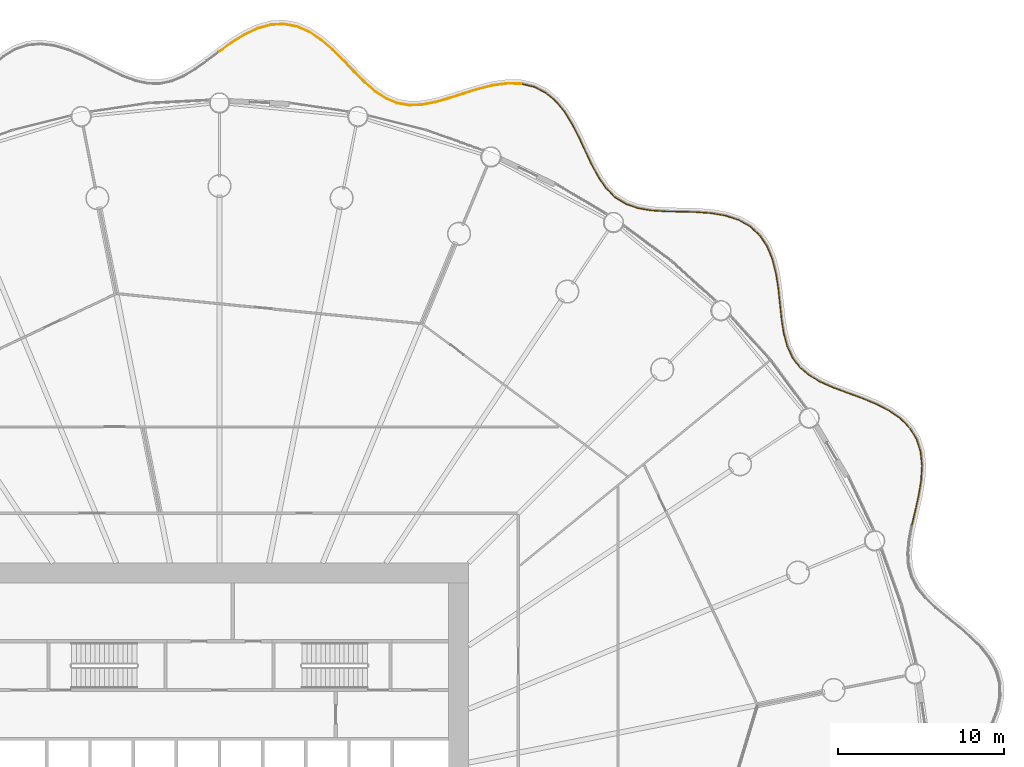
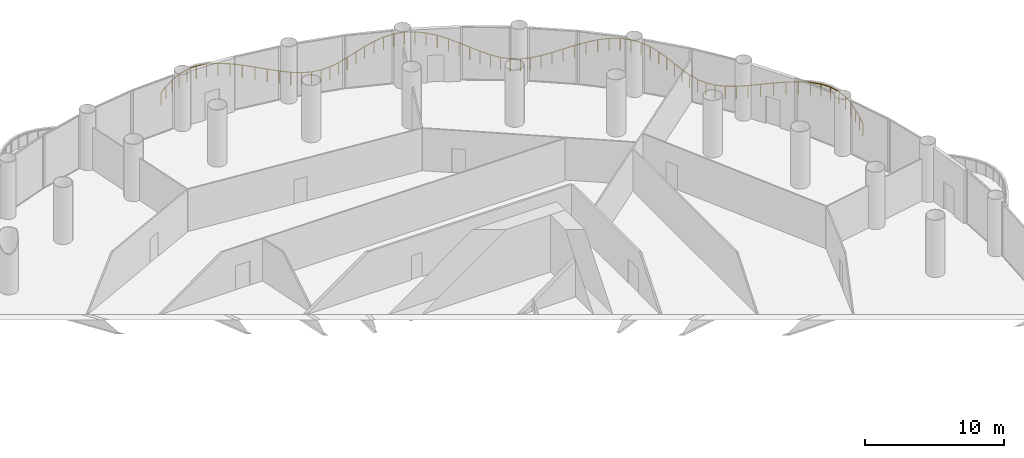
# One storey, part 35 of 35: 3 railings.
"""IFC4 building model written with IfcOpenShell, lengths in metres."""

from ifc_helpers import new_model, si_unit, direction, frame, origin, origin_2d, place, context, subcontext, project, spatial, circle, extrude, material, type_object, element, save


model = new_model("IFC4")

# Units and contexts
model_context = context("Model", 3, precision=1e-05, world=origin(), true_north=direction((0.0, 1.0)))
body_context = subcontext(model_context, "Body", "Model", "MODEL_VIEW")
ifc_project = project(units=[si_unit("LENGTHUNIT", "METRE"), si_unit("AREAUNIT", "SQUARE_METRE"), si_unit("VOLUMEUNIT", "CUBIC_METRE"), si_unit("PLANEANGLEUNIT", "RADIAN"), si_unit("MASSUNIT", "GRAM", prefix="KILO")], contexts=[model_context])

# Site, building, storey
site_placement = place(None, origin())
site = spatial("IfcSite", under=ifc_project, at=site_placement, CompositionType="ELEMENT")
building_placement = place(site_placement, origin())
building = spatial("IfcBuilding", under=site, at=building_placement, Name="Corvane Civic Tower", CompositionType="ELEMENT")
storey_placement = place(building_placement, frame((0.0, 0.0, 22.0)))
storey = spatial("IfcBuildingStorey", under=building, at=storey_placement, Name="L04", CompositionType="ELEMENT", Elevation=22.0)

# Railings
ifc_material = material(Name="Steel ASTM A572 Gr 50", Category="steel")
railing_type = type_object("IfcRailingType", Name="PODIUM-RL-GUARD-1100", PredefinedType="GUARDRAIL", material=ifc_material)
railing_1_placement = place(storey_placement, frame((41.692138671875, 17.29150390625, 0.0)))
element("IfcRailing", 1, at=railing_1_placement, inside=storey, type_object=railing_type, Name="L04 ribbon guard 14", PredefinedType="GUARDRAIL", context=body_context, shape_type="SweptSolid", body=[
    extrude(circle(Radius=0.02392578125, at=origin_2d()), frame((0.0, 0.0, 1.076171875), z_axis=(0.227410846019, 0.973798904863, 0.0), x_axis=(-0.973798904863, 0.227410846019, 0.0)), (0.0, 0.0, 1.0), 0.894287109375),
    extrude(circle(Radius=0.02392578125, at=origin_2d()), frame((0.203369140625, 0.870849609375, 1.076171875), z_axis=(0.217566472214, 0.976045506198, 0.0), x_axis=(-0.976045506198, 0.217566472214, 0.0)), (0.0, 0.0, 1.0), 0.934814453125),
    extrude(circle(Radius=0.02392578125, at=origin_2d()), frame((0.40673828125, 1.783203125, 1.076171875), z_axis=(0.162504094717, 0.98670786923, 0.0), x_axis=(-0.98670786923, 0.162504094717, 0.0)), (0.0, 0.0, 1.0), 0.91943359375),
    extrude(circle(Radius=0.02392578125, at=origin_2d()), frame((0.55615234375, 2.6904296875, 1.076171875), z_axis=(0.058298894976, 0.998299173016, 0.0), x_axis=(-0.998299173016, 0.058298894976, 0.0)), (0.0, 0.0, 1.0), 0.87939453125),
    extrude(circle(Radius=0.02392578125, at=origin_2d()), frame((0.607421875, 3.568359375, 1.076171875), z_axis=(-0.098600291274, 0.995127118795, 0.0), x_axis=(-0.995127118795, -0.098600291274, 0.0)), (0.0, 0.0, 1.0), 0.82958984375),
    extrude(circle(Radius=0.02392578125, at=origin_2d()), frame((0.525634765625, 4.393798828125, 1.076171875), z_axis=(-0.29996315275, 0.953950788559, 0.0), x_axis=(-0.953950788559, -0.29996315275, 0.0)), (0.0, 0.0, 1.0), 0.790283203125),
    extrude(circle(Radius=0.02392578125, at=origin_2d()), frame((0.28857421875, 5.147705078125, 1.076171875), z_axis=(-0.514219236996, 0.857658776148, 0.0), x_axis=(-0.857658776148, -0.514219236996, 0.0)), (0.0, 0.0, 1.0), 0.779052734375),
    extrude(circle(Radius=0.02392578125, at=origin_2d()), frame((-0.112060546875, 5.81591796875, 1.076171875), z_axis=(-0.694828029588, 0.719175923748, 0.0), x_axis=(-0.719175923748, -0.694828029588, 0.0)), (0.0, 0.0, 1.0), 0.80224609375),
    extrude(circle(Radius=0.02392578125, at=origin_2d()), frame((-0.66943359375, 6.392822265625, 1.076171875), z_axis=(-0.817605639393, 0.575778619291, 0.0), x_axis=(-0.575778619291, -0.817605639393, 0.0)), (0.0, 0.0, 1.0), 0.84814453125),
    extrude(circle(Radius=0.02392578125, at=origin_2d()), frame((-1.36279296875, 6.881103515625, 1.076171875), z_axis=(-0.888967834328, 0.457969638218, 0.0), x_axis=(-0.457969638218, -0.888967834328, 0.0)), (0.0, 0.0, 1.0), 0.896240234375),
    extrude(circle(Radius=0.02392578125, at=origin_2d()), frame((-2.159423828125, 7.29150390625, 1.076171875), z_axis=(-0.925102308691, 0.379717945921, 0.0), x_axis=(-0.379717945921, -0.925102308691, 0.0)), (0.0, 0.0, 1.0), 0.928466796875),
    extrude(circle(Radius=0.02392578125, at=origin_2d()), frame((-3.018310546875, 7.64404296875, 1.076171875), z_axis=(-0.939295745182, 0.343108587889, 0.0), x_axis=(-0.343108587889, -0.939295745182, 0.0)), (0.0, 0.0, 1.0), 0.932861328125),
    extrude(circle(Radius=0.02392578125, at=origin_2d()), frame((-3.89453125, 7.964111328125, 1.076171875), z_axis=(-0.936694227346, 0.350148432035, 0.0), x_axis=(-0.350148432035, -0.936694227346, 0.0)), (0.0, 0.0, 1.0), 0.90576171875),
    extrude(circle(Radius=0.02392578125, at=origin_2d()), frame((-4.742919921875, 8.28125, 1.076171875), z_axis=(-0.914541442914, 0.404492211536, 0.0), x_axis=(-0.404492211536, -0.914541442914, 0.0)), (0.0, 0.0, 1.0), 0.853515625),
    extrude(circle(Radius=0.02392578125, at=origin_2d()), frame((-5.5234375, 8.62646484375, 1.076171875), z_axis=(-0.861258441546, 0.50816719381, 0.0), x_axis=(-0.50816719381, -0.861258441546, 0.0)), (0.0, 0.0, 1.0), 0.790283203125),
    extrude(circle(Radius=0.02392578125, at=origin_2d()), frame((-6.2041015625, 9.028076171875, 1.076171875), z_axis=(-0.758462874676, 0.65171624787, 0.0), x_axis=(-0.65171624787, -0.758462874676, 0.0)), (0.0, 0.0, 1.0), 0.73876953125),
    extrude(circle(Radius=0.02392578125, at=origin_2d()), frame((-6.764404296875, 9.509521484375, 1.076171875), z_axis=(-0.600270968268, 0.799796702078, 0.0), x_axis=(-0.799796702078, -0.600270968268, 0.0)), (0.0, 0.0, 1.0), 0.720703125),
    extrude(circle(Radius=0.02392578125, at=origin_2d()), frame((-7.197021484375, 10.0859375, 1.076171875), z_axis=(-0.416936854451, 0.908935453924, 0.0), x_axis=(-0.908935453924, -0.416936854451, 0.0)), (0.0, 0.0, 1.0), 0.744873046875),
    extrude(circle(Radius=0.02392578125, at=origin_2d()), frame((-7.507568359375, 10.762939453125, 1.076171875), z_axis=(-0.259656135813, 0.965701139657, 0.0), x_axis=(-0.965701139657, -0.259656135813, 0.0)), (0.0, 0.0, 1.0), 0.800048828125),
    extrude(circle(Radius=0.02392578125, at=origin_2d()), frame((-7.71533203125, 11.53564453125, 1.076171875), z_axis=(-0.154756611237, 0.987952626029, 0.0), x_axis=(-0.987952626029, -0.154756611237, 0.0)), (0.0, 0.0, 1.0), 0.863037109375),
    extrude(circle(Radius=0.02392578125, at=origin_2d()), frame((-7.848876953125, 12.38818359375, 1.076171875), z_axis=(-0.105200339755, 0.994451048828, 0.0), x_axis=(-0.994451048828, -0.105200339755, 0.0)), (0.0, 0.0, 1.0), 0.912109375),
    extrude(circle(Radius=0.02392578125, at=origin_2d()), frame((-7.94482421875, 13.295166015625, 1.076171875), z_axis=(-0.105038413668, 0.994468165229, 0.0), x_axis=(-0.994468165229, -0.105038413668, 0.0)), (0.0, 0.0, 1.0), 0.934326171875),
    extrude(circle(Radius=0.02392578125, at=origin_2d()), frame((-8.04296875, 14.224365234375, 1.076171875), z_axis=(-0.151243919607, 0.988496472822, 0.0), x_axis=(-0.988496472822, -0.151243919607, 0.0)), (0.0, 0.0, 1.0), 0.925048828125),
    extrude(circle(Radius=0.02392578125, at=origin_2d()), frame((-8.182861328125, 15.138671875, 1.076171875), z_axis=(-0.243798365179, 0.96982594167, 0.0), x_axis=(-0.96982594167, -0.243798365179, 0.0)), (0.0, 0.0, 1.0), 0.8642578125),
    extrude(circle(Radius=0.02099609375, at=origin_2d()), origin(), (0.0, 0.0, 1.0), 1.052001953125),
    extrude(circle(Radius=0.02099609375, at=origin_2d()), frame((0.203369140625, 0.870849609375, 0.0)), (0.0, 0.0, 1.0), 1.052001953125),
    extrude(circle(Radius=0.02099609375, at=origin_2d()), frame((0.40673828125, 1.783203125, 0.0)), (0.0, 0.0, 1.0), 1.052001953125),
    extrude(circle(Radius=0.02099609375, at=origin_2d()), frame((0.55615234375, 2.6904296875, 0.0)), (0.0, 0.0, 1.0), 1.052001953125),
    extrude(circle(Radius=0.02099609375, at=origin_2d()), frame((0.607421875, 3.568359375, 0.0)), (0.0, 0.0, 1.0), 1.052001953125),
    extrude(circle(Radius=0.02099609375, at=origin_2d()), frame((0.525634765625, 4.393798828125, 0.0)), (0.0, 0.0, 1.0), 1.052001953125),
    extrude(circle(Radius=0.02099609375, at=origin_2d()), frame((0.28857421875, 5.147705078125, 0.0)), (0.0, 0.0, 1.0), 1.052001953125),
    extrude(circle(Radius=0.02099609375, at=origin_2d()), frame((-0.112060546875, 5.81591796875, 0.0)), (0.0, 0.0, 1.0), 1.052001953125),
    extrude(circle(Radius=0.02099609375, at=origin_2d()), frame((-0.66943359375, 6.392822265625, 0.0)), (0.0, 0.0, 1.0), 1.052001953125),
    extrude(circle(Radius=0.02099609375, at=origin_2d()), frame((-1.36279296875, 6.881103515625, 0.0)), (0.0, 0.0, 1.0), 1.052001953125),
    extrude(circle(Radius=0.02099609375, at=origin_2d()), frame((-2.159423828125, 7.29150390625, 0.0)), (0.0, 0.0, 1.0), 1.052001953125),
    extrude(circle(Radius=0.02099609375, at=origin_2d()), frame((-3.018310546875, 7.64404296875, 0.0)), (0.0, 0.0, 1.0), 1.052001953125),
    extrude(circle(Radius=0.02099609375, at=origin_2d()), frame((-3.89453125, 7.964111328125, 0.0)), (0.0, 0.0, 1.0), 1.052001953125),
    extrude(circle(Radius=0.02099609375, at=origin_2d()), frame((-4.742919921875, 8.28125, 0.0)), (0.0, 0.0, 1.0), 1.052001953125),
    extrude(circle(Radius=0.02099609375, at=origin_2d()), frame((-5.5234375, 8.62646484375, 0.0)), (0.0, 0.0, 1.0), 1.052001953125),
    extrude(circle(Radius=0.02099609375, at=origin_2d()), frame((-6.2041015625, 9.028076171875, 0.0)), (0.0, 0.0, 1.0), 1.052001953125),
    extrude(circle(Radius=0.02099609375, at=origin_2d()), frame((-6.764404296875, 9.509521484375, 0.0)), (0.0, 0.0, 1.0), 1.052001953125),
    extrude(circle(Radius=0.02099609375, at=origin_2d()), frame((-7.197021484375, 10.0859375, 0.0)), (0.0, 0.0, 1.0), 1.052001953125),
    extrude(circle(Radius=0.02099609375, at=origin_2d()), frame((-7.507568359375, 10.762939453125, 0.0)), (0.0, 0.0, 1.0), 1.052001953125),
    extrude(circle(Radius=0.02099609375, at=origin_2d()), frame((-7.71533203125, 11.53564453125, 0.0)), (0.0, 0.0, 1.0), 1.052001953125),
    extrude(circle(Radius=0.02099609375, at=origin_2d()), frame((-7.848876953125, 12.38818359375, 0.0)), (0.0, 0.0, 1.0), 1.052001953125),
    extrude(circle(Radius=0.02099609375, at=origin_2d()), frame((-7.94482421875, 13.295166015625, 0.0)), (0.0, 0.0, 1.0), 1.052001953125),
    extrude(circle(Radius=0.02099609375, at=origin_2d()), frame((-8.04296875, 14.224365234375, 0.0)), (0.0, 0.0, 1.0), 1.052001953125),
    extrude(circle(Radius=0.02099609375, at=origin_2d()), frame((-8.182861328125, 15.138671875, 0.0)), (0.0, 0.0, 1.0), 1.052001953125),
    extrude(circle(Radius=0.02099609375, at=origin_2d()), frame((-8.3935546875, 15.976806640625, 0.0)), (0.0, 0.0, 1.0), 1.052001953125),
])
railing_2_placement = place(storey_placement, frame((33.282958984375, 33.315673828125, 0.0)))
element("IfcRailing", 2, at=railing_2_placement, inside=storey, type_object=railing_type, Name="L04 ribbon guard 15", PredefinedType="GUARDRAIL", context=body_context, shape_type="SweptSolid", body=[
    extrude(circle(Radius=0.02392578125, at=origin_2d()), frame((0.0, 0.0, 1.076171875), z_axis=(-0.381954861987, 0.924180979789, 0.0), x_axis=(-0.924180979789, -0.381954861987, 0.0)), (0.0, 0.0, 1.0), 0.81494140625),
    extrude(circle(Radius=0.02392578125, at=origin_2d()), frame((-0.311279296875, 0.753173828125, 1.076171875), z_axis=(-0.555407340841, 0.8315784303, 0.0), x_axis=(-0.8315784303, -0.555407340841, 0.0)), (0.0, 0.0, 1.0), 0.79638671875),
    extrude(circle(Radius=0.02392578125, at=origin_2d()), frame((-0.753662109375, 1.41552734375, 1.076171875), z_axis=(-0.731440906947, 0.681904831809, 0.0), x_axis=(-0.681904831809, -0.731440906947, 0.0)), (0.0, 0.0, 1.0), 0.77880859375),
    extrude(circle(Radius=0.02392578125, at=origin_2d()), frame((-1.3232421875, 1.946533203125, 1.076171875), z_axis=(-0.868979387797, 0.494848283401, 0.0), x_axis=(-0.494848283401, -0.868979387797, 0.0)), (0.0, 0.0, 1.0), 0.794921875),
    extrude(circle(Radius=0.02392578125, at=origin_2d()), frame((-2.013916015625, 2.33984375, 1.076171875), z_axis=(-0.949698912177, 0.313164455535, 0.0), x_axis=(-0.313164455535, -0.949698912177, 0.0)), (0.0, 0.0, 1.0), 0.83740234375),
    extrude(circle(Radius=0.02392578125, at=origin_2d()), frame((-2.80908203125, 2.60205078125, 1.076171875), z_axis=(-0.985609152256, 0.169040228907, 0.0), x_axis=(-0.169040228907, -0.985609152256, 0.0)), (0.0, 0.0, 1.0), 0.88671875),
    extrude(circle(Radius=0.02392578125, at=origin_2d()), frame((-3.68310546875, 2.751953125, 1.076171875), z_axis=(-0.997355726649, 0.072674304406, 0.0), x_axis=(-0.072674304406, -0.997355726649, 0.0)), (0.0, 0.0, 1.0), 0.923828125),
    extrude(circle(Radius=0.02392578125, at=origin_2d()), frame((-4.6044921875, 2.819091796875, 1.076171875), z_axis=(-0.999711020229, 0.024039052238, 0.0), x_axis=(-0.024039052238, -0.999711020229, 0.0)), (0.0, 0.0, 1.0), 0.934326171875),
    extrude(circle(Radius=0.02392578125, at=origin_2d()), frame((-5.53857421875, 2.841552734375, 1.076171875), z_axis=(-0.999771670744, 0.021368349896, 0.0), x_axis=(-0.021368349896, -0.999771670744, 0.0)), (0.0, 0.0, 1.0), 0.9140625),
    extrude(circle(Radius=0.02392578125, at=origin_2d()), frame((-6.452392578125, 2.861083984375, 1.076171875), z_axis=(-0.997631662657, 0.068782742495, 0.0), x_axis=(-0.068782742495, -0.997631662657, 0.0)), (0.0, 0.0, 1.0), 0.865966796875),
    extrude(circle(Radius=0.02392578125, at=origin_2d()), frame((-7.31640625, 2.920654296875, 1.076171875), z_axis=(-0.985151477235, 0.171687410437, 0.0), x_axis=(-0.171687410437, -0.985151477235, 0.0)), (0.0, 0.0, 1.0), 0.803466796875),
    extrude(circle(Radius=0.02392578125, at=origin_2d()), frame((-8.10791015625, 3.05859375, 1.076171875), z_axis=(-0.943531916748, 0.331281635589, 0.0), x_axis=(-0.331281635589, -0.943531916748, 0.0)), (0.0, 0.0, 1.0), 0.747314453125),
    extrude(circle(Radius=0.02392578125, at=origin_2d()), frame((-8.81298828125, 3.30615234375, 1.076171875), z_axis=(-0.853038984398, 0.521847191329, 0.0), x_axis=(-0.521847191329, -0.853038984398, 0.0)), (0.0, 0.0, 1.0), 0.720947265625),
    extrude(circle(Radius=0.02392578125, at=origin_2d()), frame((-9.427978515625, 3.682373046875, 1.076171875), z_axis=(-0.719589904835, 0.694399286333, 0.0), x_axis=(-0.694399286333, -0.719589904835, 0.0)), (0.0, 0.0, 1.0), 0.736572265625),
    extrude(circle(Radius=0.02392578125, at=origin_2d()), frame((-9.9580078125, 4.19384765625, 1.076171875), z_axis=(-0.583699953364, 0.811969435658, 0.0), x_axis=(-0.811969435658, -0.583699953364, 0.0)), (0.0, 0.0, 1.0), 0.787109375),
    extrude(circle(Radius=0.02392578125, at=origin_2d()), frame((-10.41748046875, 4.8330078125, 1.076171875), z_axis=(-0.482690160832, 0.875791190088, 0.0), x_axis=(-0.875791190088, -0.482690160832, 0.0)), (0.0, 0.0, 1.0), 0.850341796875),
    extrude(circle(Radius=0.02392578125, at=origin_2d()), frame((-10.827880859375, 5.57763671875, 1.076171875), z_axis=(-0.428202473026, 0.903682821622, 0.0), x_axis=(-0.903682821622, -0.428202473026, 0.0)), (0.0, 0.0, 1.0), 0.90380859375),
    extrude(circle(Radius=0.02392578125, at=origin_2d()), frame((-11.21484375, 6.394287109375, 1.076171875), z_axis=(-0.418809018902, 0.908074339295, 0.0), x_axis=(-0.908074339295, -0.418809018902, 0.0)), (0.0, 0.0, 1.0), 0.93212890625),
    extrude(circle(Radius=0.02392578125, at=origin_2d()), frame((-11.605224609375, 7.24072265625, 1.076171875), z_axis=(-0.451831007825, 0.892103548008, 0.0), x_axis=(-0.892103548008, -0.451831007825, 0.0)), (0.0, 0.0, 1.0), 0.929443359375),
    extrude(circle(Radius=0.02392578125, at=origin_2d()), frame((-12.025146484375, 8.06982421875, 1.076171875), z_axis=(-0.525006823148, 0.85109801765, 0.0), x_axis=(-0.85109801765, -0.525006823148, 0.0)), (0.0, 0.0, 1.0), 0.8984375),
    extrude(circle(Radius=0.02392578125, at=origin_2d()), frame((-12.496826171875, 8.83447265625, 1.076171875), z_axis=(-0.634690449107, 0.772766480777, 0.0), x_axis=(-0.772766480777, -0.634690449107, 0.0)), (0.0, 0.0, 1.0), 0.8505859375),
    extrude(circle(Radius=0.02392578125, at=origin_2d()), frame((-13.03662109375, 9.49169921875, 1.076171875), z_axis=(-0.766875815103, 0.641795515886, 0.0), x_axis=(-0.641795515886, -0.766875815103, 0.0)), (0.0, 0.0, 1.0), 0.80419921875),
    extrude(circle(Radius=0.02392578125, at=origin_2d()), frame((-13.6533203125, 10.0078125, 1.076171875), z_axis=(-0.89178146689, 0.452466369261, 0.0), x_axis=(-0.452466369261, -0.89178146689, 0.0)), (0.0, 0.0, 1.0), 0.77978515625),
    extrude(circle(Radius=0.02392578125, at=origin_2d()), frame((-14.3486328125, 10.360595703125, 1.076171875), z_axis=(-0.972682567407, 0.232139232064, 0.0), x_axis=(-0.232139232064, -0.972682567407, 0.0)), (0.0, 0.0, 1.0), 0.763427734375),
    extrude(circle(Radius=0.02099609375, at=origin_2d()), origin(), (0.0, 0.0, 1.0), 1.052001953125),
    extrude(circle(Radius=0.02099609375, at=origin_2d()), frame((-0.311279296875, 0.753173828125, 0.0)), (0.0, 0.0, 1.0), 1.052001953125),
    extrude(circle(Radius=0.02099609375, at=origin_2d()), frame((-0.753662109375, 1.41552734375, 0.0)), (0.0, 0.0, 1.0), 1.052001953125),
    extrude(circle(Radius=0.02099609375, at=origin_2d()), frame((-1.3232421875, 1.946533203125, 0.0)), (0.0, 0.0, 1.0), 1.052001953125),
    extrude(circle(Radius=0.02099609375, at=origin_2d()), frame((-2.013916015625, 2.33984375, 0.0)), (0.0, 0.0, 1.0), 1.052001953125),
    extrude(circle(Radius=0.02099609375, at=origin_2d()), frame((-2.80908203125, 2.60205078125, 0.0)), (0.0, 0.0, 1.0), 1.052001953125),
    extrude(circle(Radius=0.02099609375, at=origin_2d()), frame((-3.68310546875, 2.751953125, 0.0)), (0.0, 0.0, 1.0), 1.052001953125),
    extrude(circle(Radius=0.02099609375, at=origin_2d()), frame((-4.6044921875, 2.819091796875, 0.0)), (0.0, 0.0, 1.0), 1.052001953125),
    extrude(circle(Radius=0.02099609375, at=origin_2d()), frame((-5.53857421875, 2.841552734375, 0.0)), (0.0, 0.0, 1.0), 1.052001953125),
    extrude(circle(Radius=0.02099609375, at=origin_2d()), frame((-6.452392578125, 2.861083984375, 0.0)), (0.0, 0.0, 1.0), 1.052001953125),
    extrude(circle(Radius=0.02099609375, at=origin_2d()), frame((-7.31640625, 2.920654296875, 0.0)), (0.0, 0.0, 1.0), 1.052001953125),
    extrude(circle(Radius=0.02099609375, at=origin_2d()), frame((-8.10791015625, 3.05859375, 0.0)), (0.0, 0.0, 1.0), 1.052001953125),
    extrude(circle(Radius=0.02099609375, at=origin_2d()), frame((-8.81298828125, 3.30615234375, 0.0)), (0.0, 0.0, 1.0), 1.052001953125),
    extrude(circle(Radius=0.02099609375, at=origin_2d()), frame((-9.427978515625, 3.682373046875, 0.0)), (0.0, 0.0, 1.0), 1.052001953125),
    extrude(circle(Radius=0.02099609375, at=origin_2d()), frame((-9.9580078125, 4.19384765625, 0.0)), (0.0, 0.0, 1.0), 1.052001953125),
    extrude(circle(Radius=0.02099609375, at=origin_2d()), frame((-10.41748046875, 4.8330078125, 0.0)), (0.0, 0.0, 1.0), 1.052001953125),
    extrude(circle(Radius=0.02099609375, at=origin_2d()), frame((-10.827880859375, 5.57763671875, 0.0)), (0.0, 0.0, 1.0), 1.052001953125),
    extrude(circle(Radius=0.02099609375, at=origin_2d()), frame((-11.21484375, 6.394287109375, 0.0)), (0.0, 0.0, 1.0), 1.052001953125),
    extrude(circle(Radius=0.02099609375, at=origin_2d()), frame((-11.605224609375, 7.24072265625, 0.0)), (0.0, 0.0, 1.0), 1.052001953125),
    extrude(circle(Radius=0.02099609375, at=origin_2d()), frame((-12.025146484375, 8.06982421875, 0.0)), (0.0, 0.0, 1.0), 1.052001953125),
    extrude(circle(Radius=0.02099609375, at=origin_2d()), frame((-12.496826171875, 8.83447265625, 0.0)), (0.0, 0.0, 1.0), 1.052001953125),
    extrude(circle(Radius=0.02099609375, at=origin_2d()), frame((-13.03662109375, 9.49169921875, 0.0)), (0.0, 0.0, 1.0), 1.052001953125),
    extrude(circle(Radius=0.02099609375, at=origin_2d()), frame((-13.6533203125, 10.0078125, 0.0)), (0.0, 0.0, 1.0), 1.052001953125),
    extrude(circle(Radius=0.02099609375, at=origin_2d()), frame((-14.3486328125, 10.360595703125, 0.0)), (0.0, 0.0, 1.0), 1.052001953125),
    extrude(circle(Radius=0.02099609375, at=origin_2d()), frame((-15.09130859375, 10.537841796875, 0.0)), (0.0, 0.0, 1.0), 1.052001953125),
])
railing_3_placement = place(storey_placement, frame((18.14208984375, 43.860107421875, 0.0)))
element("IfcRailing", 3, at=railing_3_placement, inside=storey, type_object=railing_type, Name="L04 ribbon guard 16", PredefinedType="GUARDRAIL", context=body_context, shape_type="SweptSolid", body=[
    extrude(circle(Radius=0.02392578125, at=origin_2d()), frame((0.0, 0.0, 1.076171875), z_axis=(-0.999673028999, 0.02557019928, 0.0), x_axis=(-0.02557019928, -0.999673028999, 0.0)), (0.0, 0.0, 1.0), 0.802001953125),
    extrude(circle(Radius=0.02392578125, at=origin_2d()), frame((-0.8017578125, 0.0205078125, 1.076171875), z_axis=(-0.99102735355, -0.133659210369, 0.0), x_axis=(0.133659210369, -0.99102735355, 0.0)), (0.0, 0.0, 1.0), 0.876708984375),
    extrude(circle(Radius=0.02392578125, at=origin_2d()), frame((-1.670654296875, -0.0966796875, 1.076171875), z_axis=(-0.970981624167, -0.239154104144, 0.0), x_axis=(0.239154104144, -0.970981624167, 0.0)), (0.0, 0.0, 1.0), 0.917724609375),
    extrude(circle(Radius=0.02392578125, at=origin_2d()), frame((-2.561767578125, -0.316162109375, 1.076171875), z_axis=(-0.955229674826, -0.295865287473, 0.0), x_axis=(0.295865287473, -0.955229674826, 0.0)), (0.0, 0.0, 1.0), 0.934814453125),
    extrude(circle(Radius=0.02392578125, at=origin_2d()), frame((-3.454833984375, -0.5927734375, 1.076171875), z_axis=(-0.95153354577, -0.307544974392, 0.0), x_axis=(0.307544974392, -0.95153354577, 0.0)), (0.0, 0.0, 1.0), 0.9208984375),
    extrude(circle(Radius=0.02392578125, at=origin_2d()), frame((-4.3310546875, -0.8759765625, 1.076171875), z_axis=(-0.962057394744, -0.272847153583, 0.0), x_axis=(0.272847153583, -0.962057394744, 0.0)), (0.0, 0.0, 1.0), 0.877685546875),
    extrude(circle(Radius=0.02392578125, at=origin_2d()), frame((-5.175537109375, -1.115478515625, 1.076171875), z_axis=(-0.982963417039, -0.183801307838, 0.0), x_axis=(0.183801307838, -0.982963417039, 0.0)), (0.0, 0.0, 1.0), 0.81689453125),
    extrude(circle(Radius=0.02392578125, at=origin_2d()), frame((-5.978515625, -1.265625, 1.076171875), z_axis=(-0.999459476494, -0.032874836054, 0.0), x_axis=(0.032874836054, -0.999459476494, 0.0)), (0.0, 0.0, 1.0), 0.757568359375),
    extrude(circle(Radius=0.02392578125, at=origin_2d()), frame((-6.735595703125, -1.29052734375, 1.076171875), z_axis=(-0.985295896143, 0.170856656425, 0.0), x_axis=(-0.170856656425, -0.985295896143, 0.0)), (0.0, 0.0, 1.0), 0.72314453125),
    extrude(circle(Radius=0.02392578125, at=origin_2d()), frame((-7.447998046875, -1.1669921875, 1.076171875), z_axis=(-0.923768086981, 0.382952374943, 0.0), x_axis=(-0.382952374943, -0.923768086981, 0.0)), (0.0, 0.0, 1.0), 0.72998046875),
    extrude(circle(Radius=0.02392578125, at=origin_2d()), frame((-8.122314453125, -0.887451171875, 1.076171875), z_axis=(-0.834563037392, 0.550912458218, 0.0), x_axis=(-0.550912458218, -0.834563037392, 0.0)), (0.0, 0.0, 1.0), 0.774658203125),
    extrude(circle(Radius=0.02392578125, at=origin_2d()), frame((-8.768798828125, -0.460693359375, 1.076171875), z_axis=(-0.754272620006, 0.656561356393, 0.0), x_axis=(-0.656561356393, -0.754272620006, 0.0)), (0.0, 0.0, 1.0), 0.8369140625),
    extrude(circle(Radius=0.02392578125, at=origin_2d()), frame((-9.400146484375, 0.0888671875, 1.076171875), z_axis=(-0.704233789182, 0.709968147295, 0.0), x_axis=(-0.709968147295, -0.704233789182, 0.0)), (0.0, 0.0, 1.0), 0.89404296875),
    extrude(circle(Radius=0.02392578125, at=origin_2d()), frame((-10.02978515625, 0.7236328125, 1.076171875), z_axis=(-0.689543571561, 0.724244201163, 0.0), x_axis=(-0.724244201163, -0.689543571561, 0.0)), (0.0, 0.0, 1.0), 0.9287109375),
    extrude(circle(Radius=0.02392578125, at=origin_2d()), frame((-10.670166015625, 1.396240234375, 1.076171875), z_axis=(-0.708936961458, 0.705271851613, 0.0), x_axis=(-0.705271851613, -0.708936961458, 0.0)), (0.0, 0.0, 1.0), 0.9326171875),
    extrude(circle(Radius=0.02392578125, at=origin_2d()), frame((-11.331298828125, 2.053955078125, 1.076171875), z_axis=(-0.75914257681, 0.65092437969, 0.0), x_axis=(-0.65092437969, -0.75914257681, 0.0)), (0.0, 0.0, 1.0), 0.906982421875),
    extrude(circle(Radius=0.02392578125, at=origin_2d()), frame((-12.019775390625, 2.644287109375, 1.076171875), z_axis=(-0.833486795532, 0.552539375677, 0.0), x_axis=(-0.552539375677, -0.833486795532, 0.0)), (0.0, 0.0, 1.0), 0.861083984375),
    extrude(circle(Radius=0.02392578125, at=origin_2d()), frame((-12.737548828125, 3.1201171875, 1.076171875), z_axis=(-0.917380193582, 0.398012035526, 0.0), x_axis=(-0.398012035526, -0.917380193582, 0.0)), (0.0, 0.0, 1.0), 0.812744140625),
    extrude(circle(Radius=0.02392578125, at=origin_2d()), frame((-13.483154296875, 3.443603515625, 1.076171875), z_axis=(-0.982248298966, 0.1875853917, 0.0), x_axis=(-0.1875853917, -0.982248298966, 0.0)), (0.0, 0.0, 1.0), 0.7822265625),
    extrude(circle(Radius=0.02392578125, at=origin_2d()), frame((-14.25146484375, 3.59033203125, 1.076171875), z_axis=(-0.998849032041, -0.047964686914, 0.0), x_axis=(0.047964686914, -0.998849032041, 0.0)), (0.0, 0.0, 1.0), 0.783935546875),
    extrude(circle(Radius=0.02392578125, at=origin_2d()), frame((-15.034423828125, 3.552734375, 1.076171875), z_axis=(-0.965080195855, -0.261954605932, 0.0), x_axis=(0.261954605932, -0.965080195855, 0.0)), (0.0, 0.0, 1.0), 0.8173828125),
    extrude(circle(Radius=0.02392578125, at=origin_2d()), frame((-15.8232421875, 3.338623046875, 1.076171875), z_axis=(-0.906693548144, -0.421790006703, 0.0), x_axis=(0.421790006703, -0.906693548144, 0.0)), (0.0, 0.0, 1.0), 0.866455078125),
    extrude(circle(Radius=0.02392578125, at=origin_2d()), frame((-16.60888671875, 2.97314453125, 1.076171875), z_axis=(-0.850653427583, -0.525726874091, 0.0), x_axis=(0.525726874091, -0.850653427583, 0.0)), (0.0, 0.0, 1.0), 0.91064453125),
    extrude(circle(Radius=0.02392578125, at=origin_2d()), frame((-17.383544921875, 2.494384765625, 1.076171875), z_axis=(-0.812460785763, -0.583015841635, 0.0), x_axis=(0.583015841635, -0.812460785763, 0.0)), (0.0, 0.0, 1.0), 0.90869140625),
    extrude(circle(Radius=0.02099609375, at=origin_2d()), origin(), (0.0, 0.0, 1.0), 1.052001953125),
    extrude(circle(Radius=0.02099609375, at=origin_2d()), frame((-0.8017578125, 0.0205078125, 0.0)), (0.0, 0.0, 1.0), 1.052001953125),
    extrude(circle(Radius=0.02099609375, at=origin_2d()), frame((-1.670654296875, -0.0966796875, 0.0)), (0.0, 0.0, 1.0), 1.052001953125),
    extrude(circle(Radius=0.02099609375, at=origin_2d()), frame((-2.561767578125, -0.316162109375, 0.0)), (0.0, 0.0, 1.0), 1.052001953125),
    extrude(circle(Radius=0.02099609375, at=origin_2d()), frame((-3.454833984375, -0.5927734375, 0.0)), (0.0, 0.0, 1.0), 1.052001953125),
    extrude(circle(Radius=0.02099609375, at=origin_2d()), frame((-4.3310546875, -0.8759765625, 0.0)), (0.0, 0.0, 1.0), 1.052001953125),
    extrude(circle(Radius=0.02099609375, at=origin_2d()), frame((-5.175537109375, -1.115478515625, 0.0)), (0.0, 0.0, 1.0), 1.052001953125),
    extrude(circle(Radius=0.02099609375, at=origin_2d()), frame((-5.978515625, -1.265625, 0.0)), (0.0, 0.0, 1.0), 1.052001953125),
    extrude(circle(Radius=0.02099609375, at=origin_2d()), frame((-6.735595703125, -1.29052734375, 0.0)), (0.0, 0.0, 1.0), 1.052001953125),
    extrude(circle(Radius=0.02099609375, at=origin_2d()), frame((-7.447998046875, -1.1669921875, 0.0)), (0.0, 0.0, 1.0), 1.052001953125),
    extrude(circle(Radius=0.02099609375, at=origin_2d()), frame((-8.122314453125, -0.887451171875, 0.0)), (0.0, 0.0, 1.0), 1.052001953125),
    extrude(circle(Radius=0.02099609375, at=origin_2d()), frame((-8.768798828125, -0.460693359375, 0.0)), (0.0, 0.0, 1.0), 1.052001953125),
    extrude(circle(Radius=0.02099609375, at=origin_2d()), frame((-9.400146484375, 0.0888671875, 0.0)), (0.0, 0.0, 1.0), 1.052001953125),
    extrude(circle(Radius=0.02099609375, at=origin_2d()), frame((-10.02978515625, 0.7236328125, 0.0)), (0.0, 0.0, 1.0), 1.052001953125),
    extrude(circle(Radius=0.02099609375, at=origin_2d()), frame((-10.670166015625, 1.396240234375, 0.0)), (0.0, 0.0, 1.0), 1.052001953125),
    extrude(circle(Radius=0.02099609375, at=origin_2d()), frame((-11.331298828125, 2.053955078125, 0.0)), (0.0, 0.0, 1.0), 1.052001953125),
    extrude(circle(Radius=0.02099609375, at=origin_2d()), frame((-12.019775390625, 2.644287109375, 0.0)), (0.0, 0.0, 1.0), 1.052001953125),
    extrude(circle(Radius=0.02099609375, at=origin_2d()), frame((-12.737548828125, 3.1201171875, 0.0)), (0.0, 0.0, 1.0), 1.052001953125),
    extrude(circle(Radius=0.02099609375, at=origin_2d()), frame((-13.483154296875, 3.443603515625, 0.0)), (0.0, 0.0, 1.0), 1.052001953125),
    extrude(circle(Radius=0.02099609375, at=origin_2d()), frame((-14.25146484375, 3.59033203125, 0.0)), (0.0, 0.0, 1.0), 1.052001953125),
    extrude(circle(Radius=0.02099609375, at=origin_2d()), frame((-15.034423828125, 3.552734375, 0.0)), (0.0, 0.0, 1.0), 1.052001953125),
    extrude(circle(Radius=0.02099609375, at=origin_2d()), frame((-15.8232421875, 3.338623046875, 0.0)), (0.0, 0.0, 1.0), 1.052001953125),
    extrude(circle(Radius=0.02099609375, at=origin_2d()), frame((-16.60888671875, 2.97314453125, 0.0)), (0.0, 0.0, 1.0), 1.052001953125),
    extrude(circle(Radius=0.02099609375, at=origin_2d()), frame((-17.383544921875, 2.494384765625, 0.0)), (0.0, 0.0, 1.0), 1.052001953125),
    extrude(circle(Radius=0.02099609375, at=origin_2d()), frame((-18.121826171875, 1.964599609375, 0.0)), (0.0, 0.0, 1.0), 1.052001953125),
])

save(model, "model.ifc")
